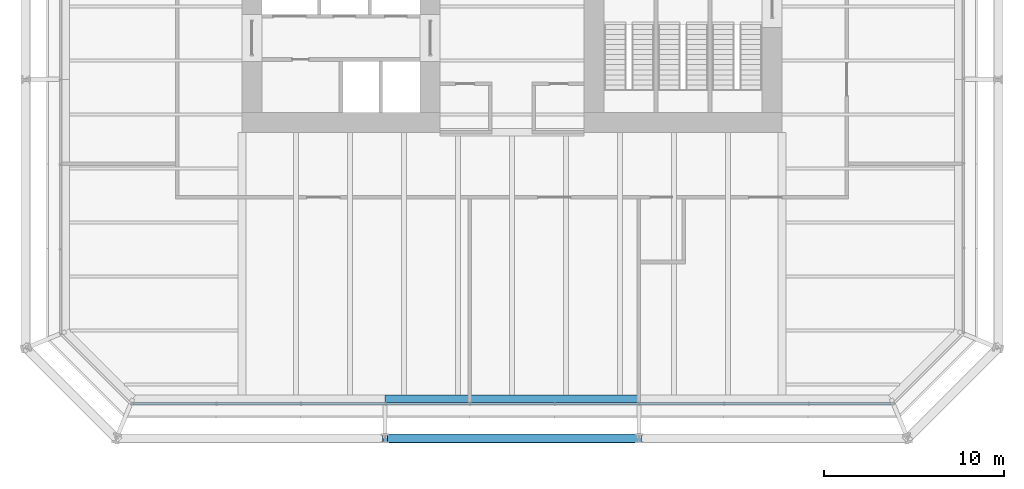
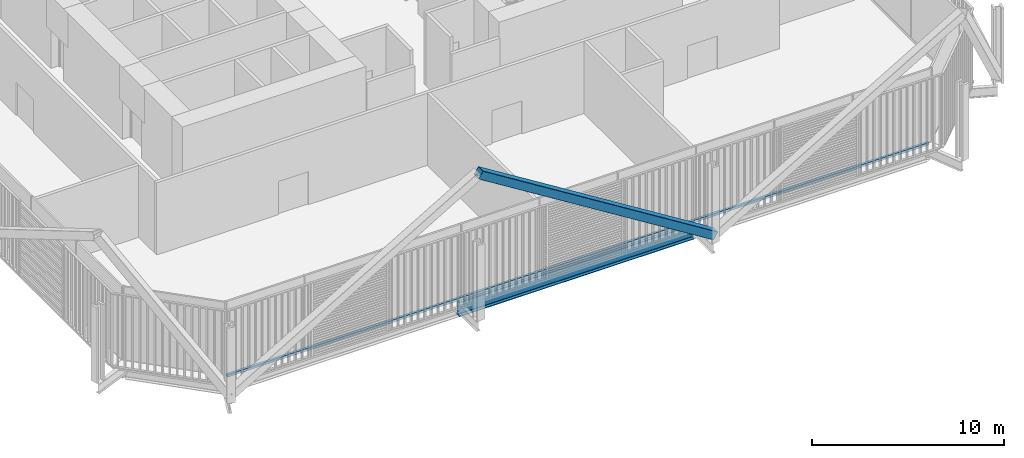
# One storey, part 3 of 22: 2 members, 1 beam, 1 element without a shape of its own.
"""IFC4 building model written with IfcOpenShell, lengths in metres."""

import ifcopenshell
import ifcopenshell.guid

model = None  # the IFC model being written
_history = None  # IfcOwnerHistory: only IFC2X3 demands one
_inside = {}  # id of a spatial element -> (the spatial element, [elements in it])
_under = {}  # id of a project, library or spatial element -> (it, [spatial elements below it])
_declared = {}  # id of a project -> (the project, [libraries it declares])
_typed = {}  # id of a type object -> (the type object, [elements of that type])
_made_of = {}  # id of a material, layer set ... -> (it, [elements and type objects made of it])


def new_model(schema):
    """Start an empty IFC model of exactly this schema.

    Asked for "IFC4X3", IfcOpenShell would pick the latest addendum, in which some entities
    have other attributes; the version numbers below select the first issue.
    IFC2X3 requires an IfcOwnerHistory on every rooted entity: one is made here for all.
    """
    global model, _history
    if schema == "IFC4X3":
        model = ifcopenshell.file(schema_version=(4, 3, 0, 0))
    else:
        model = ifcopenshell.file(schema=schema)
    _inside.clear()
    _under.clear()
    _declared.clear()
    _typed.clear()
    _made_of.clear()
    _history = None
    if model.schema == "IFC2X3":
        org = make("IfcOrganization", Name="unknown")
        user = make(
            "IfcPersonAndOrganization",
            ThePerson=make("IfcPerson", FamilyName="unknown"),
            TheOrganization=org,
        )
        app = make(
            "IfcApplication",
            ApplicationDeveloper=org,
            Version="unknown",
            ApplicationFullName="unknown",
            ApplicationIdentifier="unknown",
        )
        _history = make(
            "IfcOwnerHistory",
            OwningUser=user,
            OwningApplication=app,
            ChangeAction="ADDED",
            CreationDate=0,
        )
    return model


def make(cls, **values):
    """One entity of the class cls with the attributes given. An attribute that is None is left unset."""
    return model.create_entity(
        cls, **{name: value for name, value in values.items() if value is not None}
    )


def rooted(cls, **values):
    """An entity with a GlobalId (a new one), such as an element, a storey or a relation."""
    return make(cls, GlobalId=ifcopenshell.guid.new(), OwnerHistory=_history, **values)


def si_unit(unit_type, name, prefix=None):
    """IfcSIUnit, for example si_unit("LENGTHUNIT", "METRE", prefix="MILLI")."""
    return make("IfcSIUnit", UnitType=unit_type, Prefix=prefix, Name=name)


def assignment(units):
    """IfcUnitAssignment: the units of a project."""
    return None if units is None else make("IfcUnitAssignment", Units=units)


def point(xyz):
    """IfcCartesianPoint."""
    return None if xyz is None else make("IfcCartesianPoint", Coordinates=xyz)


def direction(xyz):
    """IfcDirection."""
    return None if xyz is None else make("IfcDirection", DirectionRatios=xyz)


def frame(location, z_axis=None, x_axis=None):
    """IfcAxis2Placement3D, a coordinate frame: its origin and axes. An axis left out is left unset."""
    return make(
        "IfcAxis2Placement3D",
        Location=point(location),
        Axis=direction(z_axis),
        RefDirection=direction(x_axis),
    )


def frame_2d(location, x_axis=None):
    """IfcAxis2Placement2D, a coordinate frame in the plane: its origin and x axis."""
    return make(
        "IfcAxis2Placement2D", Location=point(location), RefDirection=direction(x_axis)
    )


def origin():
    """The frame at (0, 0, 0) with its axes left unset."""
    return frame((0.0, 0.0, 0.0))


def origin_2d():
    """The frame at (0, 0) in the plane with its x axis left unset."""
    return frame_2d((0.0, 0.0))


def place(relative_to, where):
    """IfcLocalPlacement: puts the frame where relative to a parent placement (None: the world)."""
    return make(
        "IfcLocalPlacement", PlacementRelTo=relative_to, RelativePlacement=where
    )


def context(
    kind, dimensions, precision=None, world=None, true_north=None, identifier=None
):
    """IfcGeometricRepresentationContext, for example the 3D "Model" context."""
    return make(
        "IfcGeometricRepresentationContext",
        ContextIdentifier=identifier,
        ContextType=kind,
        CoordinateSpaceDimension=dimensions,
        Precision=precision,
        WorldCoordinateSystem=world,
        TrueNorth=true_north,
    )


def subcontext(parent, identifier, kind, view, scale=None):
    """IfcGeometricRepresentationSubContext, for example "Body" below "Model"."""
    return make(
        "IfcGeometricRepresentationSubContext",
        ContextIdentifier=identifier,
        ContextType=kind,
        ParentContext=parent,
        TargetScale=scale,
        TargetView=view,
    )


def project(units=None, contexts=None):
    """IfcProject with its units and contexts."""
    return rooted(
        "IfcProject",
        Name="project",
        RepresentationContexts=contexts,
        UnitsInContext=assignment(units),
    )


def spatial(cls, under=None, at=None, **own):
    """A site, building, storey or space (cls), placed at a placement, below another one or the project."""
    s = rooted(cls, ObjectPlacement=at, **own)
    if under is not None:
        _under.setdefault(under.id(), (under, []))[1].append(s)
    return s


def profile(cls, at=None, kind="AREA", **sizes):
    """A parametric profile (cls). Its sizes go by their IFC names, for example OverallWidth=200.0."""
    return make(cls, ProfileType=kind, Position=at, **sizes)


def rectangle(**sizes):
    """IfcRectangleProfileDef."""
    return profile("IfcRectangleProfileDef", **sizes)


def hollow_rectangle(**sizes):
    """IfcRectangleHollowProfileDef."""
    return profile("IfcRectangleHollowProfileDef", **sizes)


def i_section(**sizes):
    """IfcIShapeProfileDef."""
    return profile("IfcIShapeProfileDef", **sizes)


def extrude(swept, where, along, depth):
    """IfcExtrudedAreaSolid: the profile swept, set in the frame where, extruded along a direction by depth."""
    return make(
        "IfcExtrudedAreaSolid",
        SweptArea=swept,
        Position=where,
        ExtrudedDirection=direction(along),
        Depth=depth,
    )


def shape(context_of_items, identifier, shape_type, items):
    """IfcShapeRepresentation: the items that make up one representation, for example the "Body"."""
    return make(
        "IfcShapeRepresentation",
        ContextOfItems=context_of_items,
        RepresentationIdentifier=identifier,
        RepresentationType=shape_type,
        Items=items,
    )


def material(Name=None, Category=None):
    """IfcMaterial."""
    return make("IfcMaterial", Name=Name, Category=Category)


def layer(
    of_material, thickness, ventilated=None, Name=None, Category=None, Priority=None
):
    """IfcMaterialLayer: one layer of a wall or slab, of a material (None: an air gap)."""
    return make(
        "IfcMaterialLayer",
        Material=of_material,
        LayerThickness=thickness,
        IsVentilated=ventilated,
        Name=Name,
        Category=Category,
        Priority=Priority,
    )


def layer_set(layers, Name=None):
    """IfcMaterialLayerSet."""
    return make("IfcMaterialLayerSet", MaterialLayers=layers, LayerSetName=Name)


def material_profile(
    of_material, cross_section, Name=None, Category=None, Priority=None
):
    """IfcMaterialProfile: a cross section and its material."""
    return make(
        "IfcMaterialProfile",
        Name=Name,
        Material=of_material,
        Profile=cross_section,
        Priority=Priority,
        Category=Category,
    )


def profile_set(profiles, Name=None, composite=None):
    """IfcMaterialProfileSet."""
    return make(
        "IfcMaterialProfileSet",
        Name=Name,
        MaterialProfiles=profiles,
        CompositeProfile=composite,
    )


def made_of(thing, what):
    """Note that an element or type object is made of a material, layer set ...; save() writes the relation."""
    if what is not None:
        _made_of.setdefault(what.id(), (what, []))[1].append(thing)
    return thing


def type_object(cls, material=None, **own):
    """A type object (cls), such as IfcWallType, which elements share."""
    return made_of(rooted(cls, **own), material)


def element(
    cls,
    number,
    at=None,
    inside=None,
    cuts=None,
    type_object=None,
    material=None,
    context=None,
    identifier="Body",
    shape_type=None,
    held_by="IfcProductDefinitionShape",
    body=None,
    shapes=None,
    **own,
):
    """One element of the class cls, such as IfcWall. Its Tag is "e" and its number.

    at: its placement. inside: the storey or other place that contains it. cuts: it is an
    opening in that element (IfcRelVoidsElement). A single representation is given by context,
    identifier, shape_type and body (its items); several are given by shapes. held_by: the class
    of the entity that holds the representations. save() writes the other relations.
    """
    e = rooted(cls, Tag="e%d" % number, ObjectPlacement=at, **own)
    if body is not None:
        shapes = [shape(context, identifier, shape_type, body)]
    if shapes is not None:
        e.Representation = make(held_by, Representations=shapes)
    if inside is not None:
        _inside.setdefault(inside.id(), (inside, []))[1].append(e)
    if cuts is not None:
        rooted(
            "IfcRelVoidsElement", RelatingBuildingElement=cuts, RelatedOpeningElement=e
        )
    if type_object is not None:
        _typed.setdefault(type_object.id(), (type_object, []))[1].append(e)
    return made_of(e, material)


def aggregate(whole, parts):
    """IfcRelAggregates: a whole, such as a stair, and the parts it consists of."""
    return rooted("IfcRelAggregates", RelatingObject=whole, RelatedObjects=parts)


def save(model, path):
    """Write the relations noted so far, then the file.

    IfcRelAggregates (storeys below a building ...), IfcRelContainedInSpatialStructure (elements
    in a storey), IfcRelDefinesByType, IfcRelAssociatesMaterial and IfcRelDeclares: one each for
    every whole, place, type object, material and project.
    """
    for whole, parts in _under.values():
        aggregate(whole, parts)
    for where, things in _inside.values():
        rooted(
            "IfcRelContainedInSpatialStructure",
            RelatedElements=things,
            RelatingStructure=where,
        )
    for kind, things in _typed.values():
        rooted("IfcRelDefinesByType", RelatedObjects=things, RelatingType=kind)
    for what, things in _made_of.values():
        rooted("IfcRelAssociatesMaterial", RelatedObjects=things, RelatingMaterial=what)
    for by, libraries in _declared.values():
        rooted("IfcRelDeclares", RelatingContext=by, RelatedDefinitions=libraries)
    model.write(path)


model = new_model("IFC4")

# Units and contexts
model_context = context("Model", 3, precision=1e-05, world=origin(), true_north=direction((0.0, 1.0)))
body_context = subcontext(model_context, "Body", "Model", "MODEL_VIEW")
ifc_project = project(units=[si_unit("LENGTHUNIT", "METRE"), si_unit("AREAUNIT", "SQUARE_METRE"), si_unit("VOLUMEUNIT", "CUBIC_METRE"), si_unit("PLANEANGLEUNIT", "RADIAN"), si_unit("MASSUNIT", "GRAM", prefix="KILO")], contexts=[model_context])

# Site, building, storey
site_placement = place(None, origin())
site = spatial("IfcSite", under=ifc_project, at=site_placement, CompositionType="ELEMENT")
building_placement = place(site_placement, origin())
building = spatial("IfcBuilding", under=site, at=building_placement, Name="Millrace Tower", CompositionType="ELEMENT")
storey_placement = place(building_placement, frame((0.0, 0.0, 44.89990234375)))
storey = spatial("IfcBuildingStorey", under=building, at=storey_placement, Name="L10", CompositionType="ELEMENT", Elevation=44.89990234375)

# Curtain wall, member
ifc_material_1 = material(Name="Aluminium and glass", Category="aluminium")
ifc_layer = layer(ifc_material_1, 0.14990234375)
ifc_layer_set = layer_set([ifc_layer], Name="Aluminium and glass")
curtain_wall_type = type_object("IfcCurtainWallType", Name="CW-2 data hall insulated curtain wall", PredefinedType="NOTDEFINED", material=ifc_layer_set)
curtain_wall_placement = place(storey_placement, origin())
curtain_wall = element("IfcCurtainWall", 1, at=curtain_wall_placement, inside=storey, type_object=curtain_wall_type, Name="Curtain wall A-F02 L10", PredefinedType="NOTDEFINED")
ifc_material_2 = material(Name="Aluminium", Category="aluminium")
ifc_material_profile_1 = material_profile(ifc_material_2, rectangle(XDim=0.14990234375, YDim=0.159912109375, at=origin_2d()))
ifc_profile_set_1 = profile_set([ifc_material_profile_1], Name="Aluminium")
member_type_1 = type_object("IfcMemberType", Name="CW-2 data hall insulated curtain wall transom", PredefinedType="USERDEFINED", material=ifc_profile_set_1)
member_1_placement = place(storey_placement, frame((-21.050048828125, -25.074951171875, 0.080078125), z_axis=(1.0, 0.0, 0.0), x_axis=(0.0, 1.0, 0.0)))
member_1 = element("IfcMember", 2, at=member_1_placement, type_object=member_type_1, Name="CW2 transom A-F02.1", ObjectType="TRANSOM", PredefinedType="USERDEFINED", context=body_context, shape_type="SweptSolid", body=[
    extrude(rectangle(XDim=0.14990234375, YDim=0.159912109375, at=origin_2d()), origin(), (0.0, 0.0, 1.0), 42.10009765625),
])
aggregate(curtain_wall, [member_1])

# Member
ifc_material_3 = material(Name="Steel ASTM A500 Grade C", Category="steel")
ifc_material_profile_2 = material_profile(ifc_material_3, hollow_rectangle(XDim=0.508056640625, YDim=0.508056640625, WallThickness=0.01904296875, InnerFilletRadius=0.009521484375, OuterFilletRadius=0.028564453125, at=origin_2d()))
ifc_profile_set_2 = profile_set([ifc_material_profile_2], Name="Steel ASTM A500 Grade C")
member_type_2 = type_object("IfcMemberType", Name="Exoskeleton brace HSS20x20x3/4", PredefinedType="BRACE", material=ifc_profile_set_2)
member_2_placement = place(storey_placement, frame((7.050048828125, -27.0, 0.400146484375), z_axis=(-0.848336468551, 0.0, 0.529457492276), x_axis=(0.0, -1.0, 0.0)))
element("IfcMember", 3, at=member_2_placement, inside=storey, type_object=member_type_2, Name="BRC-A-L10-03", PredefinedType="BRACE", context=body_context, shape_type="SweptSolid", body=[
    extrude(hollow_rectangle(XDim=0.508056640625, YDim=0.508056640625, WallThickness=0.01904296875, InnerFilletRadius=0.009521484375, OuterFilletRadius=0.028564453125, at=origin_2d()), origin(), (0.0, 0.0, 1.0), 16.620849609375),
])

# Beam
ifc_material_4 = material(Name="Steel ASTM A992 Grade 50", Category="steel")
ifc_material_profile_3 = material_profile(ifc_material_4, i_section(OverallWidth=0.421630859375, OverallDepth=0.937255859375, WebThickness=0.021240234375, FlangeThickness=0.03662109375, FilletRadius=0.024169921875, at=origin_2d()))
ifc_profile_set_3 = profile_set([ifc_material_profile_3], Name="Steel ASTM A992 Grade 50")
beam_type = type_object("IfcBeamType", Name="Ring beam medium span W36x262", PredefinedType="SPANDREL", material=ifc_profile_set_3)
beam_placement = place(storey_placement, frame((7.050048828125, -24.7890625, -0.693603515625), z_axis=(-1.0, 0.0, 0.0), x_axis=(0.0, -1.0, 0.0)))
element("IfcBeam", 4, at=beam_placement, inside=storey, type_object=beam_type, Name="RNG-A-L10-S1-14", PredefinedType="SPANDREL", context=body_context, shape_type="SweptSolid", body=[
    extrude(i_section(OverallWidth=0.421630859375, OverallDepth=0.937255859375, WebThickness=0.021240234375, FlangeThickness=0.03662109375, FilletRadius=0.024169921875, at=origin_2d()), origin(), (0.0, 0.0, 1.0), 14.10009765625),
])

save(model, "model.ifc")
